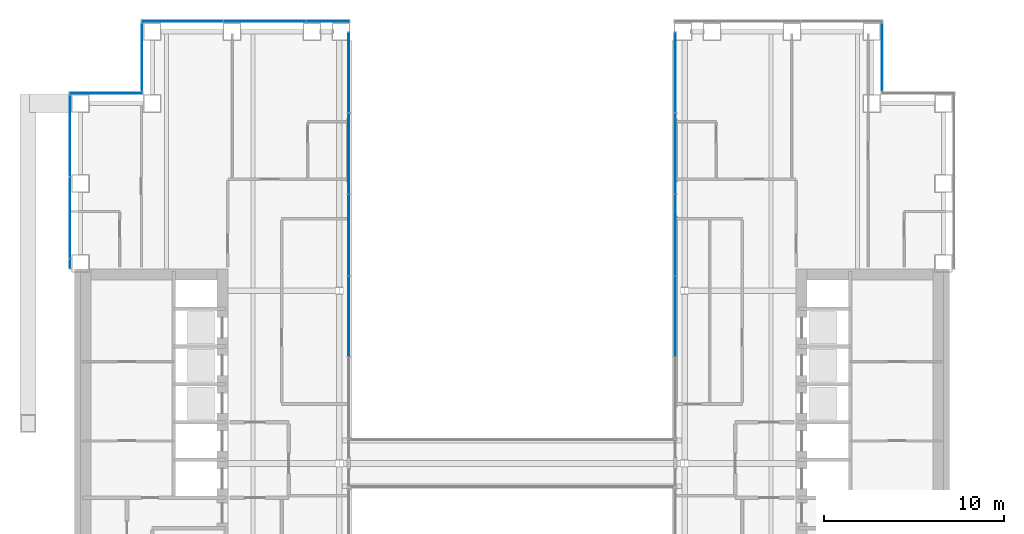
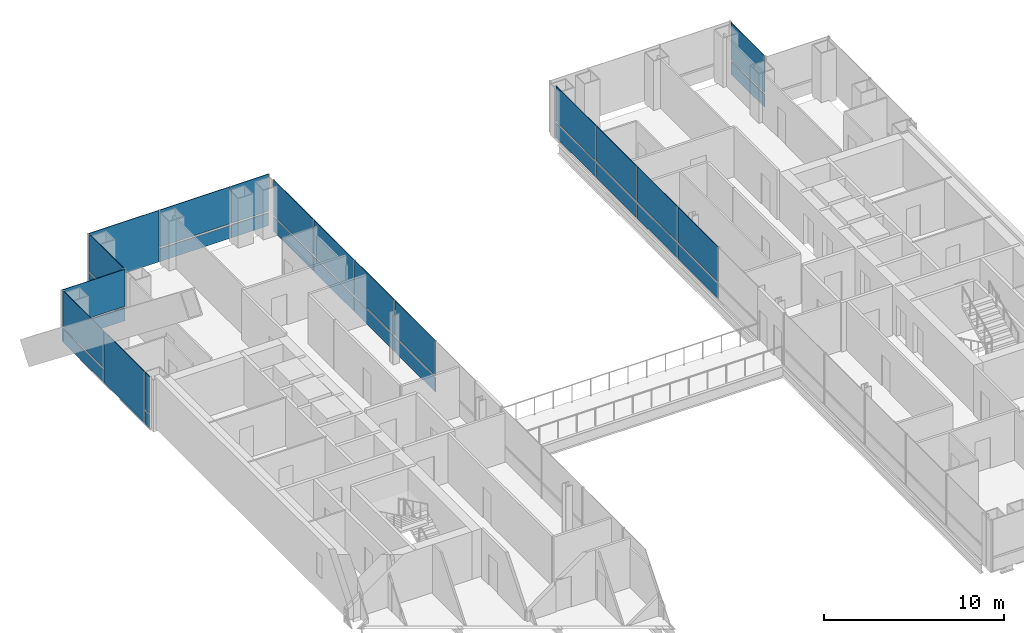
# One storey, part 12 of 19: 32 plates, 7 elements without a shape of their own.
"""IFC4 building model written with IfcOpenShell, lengths in metres."""

from ifc_helpers import new_model, si_unit, direction, frame, origin, origin_2d, place, context, subcontext, project, spatial, rectangle, extrude, material, layer, layer_set, type_object, element, aggregate, save


model = new_model("IFC4")

# Units and contexts
model_context = context("Model", 3, precision=1e-05, world=origin(), true_north=direction((0.0, 1.0)))
body_context = subcontext(model_context, "Body", "Model", "MODEL_VIEW")
ifc_project = project(units=[si_unit("LENGTHUNIT", "METRE"), si_unit("AREAUNIT", "SQUARE_METRE"), si_unit("VOLUMEUNIT", "CUBIC_METRE"), si_unit("PLANEANGLEUNIT", "RADIAN"), si_unit("MASSUNIT", "GRAM", prefix="KILO")], contexts=[model_context])

# Site, building, storey
site_placement = place(None, origin())
site = spatial("IfcSite", under=ifc_project, at=site_placement, CompositionType="ELEMENT")
building_placement = place(site_placement, origin())
building = spatial("IfcBuilding", under=site, at=building_placement, Name="Cobrizo Arcos Hotel Tower", CompositionType="ELEMENT")
storey_placement = place(building_placement, frame((0.0, 0.0, 70.5)))
storey = spatial("IfcBuildingStorey", under=building, at=storey_placement, Name="L16", CompositionType="ELEMENT", Elevation=70.5)

# Curtain wall, plate
ifc_material_1 = material(Name="Aluminium 6063-T6 anodised bronze", Category="aluminium")
curtain_wall_type_1 = type_object("IfcCurtainWallType", Name="CW-A guest facade", PredefinedType="NOTDEFINED", material=ifc_material_1)
curtain_wall_1_placement = place(storey_placement, origin())
curtain_wall_1 = element("IfcCurtainWall", 1, at=curtain_wall_1_placement, inside=storey, type_object=curtain_wall_type_1, Name="CW-A L16 E face", PredefinedType="NOTDEFINED")
ifc_material_2 = material(Name="Glass clear laminated low-e", Category="glass")
ifc_layer_1 = layer(ifc_material_2, 0.0400390625)
ifc_layer_set_1 = layer_set([ifc_layer_1], Name="CW-A glass panel")
plate_type_1 = type_object("IfcPlateType", Name="CW-A glass panel", PredefinedType="CURTAIN_PANEL", material=ifc_layer_set_1)
plate_1_placement = place(storey_placement, frame((20.574951171875, 22.574951171875, 0.990234375), z_axis=(0.0, 0.0, 1.0), x_axis=(0.0, 1.0, 0.0)))
plate_1 = element("IfcPlate", 2, at=plate_1_placement, type_object=plate_type_1, Name="CW-A glass panel 700", PredefinedType="CURTAIN_PANEL", context=body_context, shape_type="SweptSolid", body=[
    extrude(rectangle(XDim=3.72998046875, YDim=0.0400390625, at=origin_2d()), origin(), (0.0, 0.0, 1.0), 2.510009765625),
])

# Curtain wall, plates
curtain_wall_2_placement = place(storey_placement, origin())
curtain_wall_2 = element("IfcCurtainWall", 3, at=curtain_wall_2_placement, inside=storey, type_object=curtain_wall_type_1, Name="CW-A L16 N face", PredefinedType="NOTDEFINED")
plate_2_placement = place(storey_placement, frame((-10.251220703125, 24.574951171875, 0.990234375), z_axis=(0.0, 0.0, 1.0), x_axis=(-1.0, 0.0, 0.0)))
plate_2 = element("IfcPlate", 4, at=plate_2_placement, type_object=plate_type_1, Name="CW-A glass panel 704", PredefinedType="CURTAIN_PANEL", context=body_context, shape_type="SweptSolid", body=[
    extrude(rectangle(XDim=2.38232421875, YDim=0.0400390625, at=origin_2d()), origin(), (0.0, 0.0, 1.0), 2.510009765625),
])
plate_3_placement = place(storey_placement, frame((-13.7666015625, 24.574951171875, 0.990234375), z_axis=(0.0, 0.0, 1.0), x_axis=(-1.0, 0.0, 0.0)))
plate_3 = element("IfcPlate", 5, at=plate_3_placement, type_object=plate_type_1, Name="CW-A glass panel 705", PredefinedType="CURTAIN_PANEL", context=body_context, shape_type="SweptSolid", body=[
    extrude(rectangle(XDim=4.52880859375, YDim=0.0400390625, at=origin_2d()), origin(), (0.0, 0.0, 1.0), 2.510009765625),
])

# Curtain wall, plate
curtain_wall_3_placement = place(storey_placement, origin())
curtain_wall_3 = element("IfcCurtainWall", 6, at=curtain_wall_3_placement, inside=storey, type_object=curtain_wall_type_1, Name="CW-A L16 W face", PredefinedType="NOTDEFINED")
plate_4_placement = place(storey_placement, frame((-20.574951171875, 22.574951171875, 0.990234375), z_axis=(0.0, 0.0, 1.0), x_axis=(0.0, -1.0, 0.0)))
plate_4 = element("IfcPlate", 7, at=plate_4_placement, type_object=plate_type_1, Name="CW-A glass panel 707", PredefinedType="CURTAIN_PANEL", context=body_context, shape_type="SweptSolid", body=[
    extrude(rectangle(XDim=3.72998046875, YDim=0.0400390625, at=origin_2d()), origin(), (0.0, 0.0, 1.0), 2.510009765625),
])

curtain_wall_4_placement = place(storey_placement, origin())
curtain_wall_4 = element("IfcCurtainWall", 8, at=curtain_wall_4_placement, inside=storey, type_object=curtain_wall_type_1, Name="CW-A L16 N face", PredefinedType="NOTDEFINED")
plate_5_placement = place(storey_placement, frame((-22.574951171875, 20.574951171875, 0.990234375), z_axis=(0.0, 0.0, 1.0), x_axis=(-1.0, 0.0, 0.0)))
plate_5 = element("IfcPlate", 9, at=plate_5_placement, type_object=plate_type_1, Name="CW-A glass panel 708", PredefinedType="CURTAIN_PANEL", context=body_context, shape_type="SweptSolid", body=[
    extrude(rectangle(XDim=4.030029296875, YDim=0.0400390625, at=origin_2d()), origin(), (0.0, 0.0, 1.0), 2.510009765625),
])

# Curtain wall, plates
curtain_wall_5_placement = place(storey_placement, origin())
curtain_wall_5 = element("IfcCurtainWall", 10, at=curtain_wall_5_placement, inside=storey, type_object=curtain_wall_type_1, Name="CW-A L16 W face", PredefinedType="NOTDEFINED")
plate_6_placement = place(storey_placement, frame((-24.574951171875, 18.207275390625, 0.990234375), z_axis=(0.0, 0.0, 1.0), x_axis=(0.0, -1.0, 0.0)))
plate_6 = element("IfcPlate", 11, at=plate_6_placement, type_object=plate_type_1, Name="CW-A glass panel 709", PredefinedType="CURTAIN_PANEL", context=body_context, shape_type="SweptSolid", body=[
    extrude(rectangle(XDim=4.465576171875, YDim=0.0400390625, at=origin_2d()), origin(), (0.0, 0.0, 1.0), 2.510009765625),
])
plate_7_placement = place(storey_placement, frame((-24.574951171875, 11.109375, 0.990234375), z_axis=(0.0, 0.0, 1.0), x_axis=(0.0, -1.0, 0.0)))
plate_7 = element("IfcPlate", 12, at=plate_7_placement, type_object=plate_type_1, Name="CW-A glass panel 711", PredefinedType="CURTAIN_PANEL", context=body_context, shape_type="SweptSolid", body=[
    extrude(rectangle(XDim=0.498779296875, YDim=0.0400390625, at=origin_2d()), origin(), (0.0, 0.0, 1.0), 2.510009765625),
])

# Plate
ifc_material_3 = material(Name="Aluminium composite panel pale metal", Category="aluminium")
ifc_layer_2 = layer(ifc_material_3, 0.0400390625)
ifc_layer_set_2 = layer_set([ifc_layer_2], Name="CW-A spandrel panel")
plate_type_2 = type_object("IfcPlateType", Name="CW-A spandrel panel", PredefinedType="CURTAIN_PANEL", material=ifc_layer_set_2)
plate_8_placement = place(storey_placement, frame((20.574951171875, 22.574951171875, 0.0), z_axis=(0.0, 0.0, 1.0), x_axis=(0.0, 1.0, 0.0)))
plate_8 = element("IfcPlate", 13, at=plate_8_placement, type_object=plate_type_2, Name="CW-A spandrel panel 700", PredefinedType="CURTAIN_PANEL", context=body_context, shape_type="SweptSolid", body=[
    extrude(rectangle(XDim=3.72998046875, YDim=0.0400390625, at=origin_2d()), origin(), (0.0, 0.0, 1.0), 0.8701171875),
])

aggregate(curtain_wall_1, [plate_8, plate_1])

plate_9_placement = place(storey_placement, frame((-10.251220703125, 24.574951171875, 0.0), z_axis=(0.0, 0.0, 1.0), x_axis=(-1.0, 0.0, 0.0)))
plate_9 = element("IfcPlate", 14, at=plate_9_placement, type_object=plate_type_2, Name="CW-A spandrel panel 704", PredefinedType="CURTAIN_PANEL", context=body_context, shape_type="SweptSolid", body=[
    extrude(rectangle(XDim=2.38232421875, YDim=0.0400390625, at=origin_2d()), origin(), (0.0, 0.0, 1.0), 0.8701171875),
])

plate_10_placement = place(storey_placement, frame((-13.7666015625, 24.574951171875, 0.0), z_axis=(0.0, 0.0, 1.0), x_axis=(-1.0, 0.0, 0.0)))
plate_10 = element("IfcPlate", 15, at=plate_10_placement, type_object=plate_type_2, Name="CW-A spandrel panel 705", PredefinedType="CURTAIN_PANEL", context=body_context, shape_type="SweptSolid", body=[
    extrude(rectangle(XDim=4.52880859375, YDim=0.0400390625, at=origin_2d()), origin(), (0.0, 0.0, 1.0), 0.8701171875),
])

plate_11_placement = place(storey_placement, frame((-18.340576171875, 24.574951171875, 0.0), z_axis=(0.0, 0.0, 1.0), x_axis=(-1.0, 0.0, 0.0)))
plate_11 = element("IfcPlate", 16, at=plate_11_placement, type_object=plate_type_2, Name="CW-A spandrel panel 706", PredefinedType="CURTAIN_PANEL", context=body_context, shape_type="SweptSolid", body=[
    extrude(rectangle(XDim=4.498779296875, YDim=0.0400390625, at=origin_2d()), origin(), (0.0, 0.0, 1.0), 3.5),
])

aggregate(curtain_wall_2, [plate_9, plate_2, plate_10, plate_3, plate_11])

plate_12_placement = place(storey_placement, frame((-20.574951171875, 22.574951171875, 0.0), z_axis=(0.0, 0.0, 1.0), x_axis=(0.0, -1.0, 0.0)))
plate_12 = element("IfcPlate", 17, at=plate_12_placement, type_object=plate_type_2, Name="CW-A spandrel panel 707", PredefinedType="CURTAIN_PANEL", context=body_context, shape_type="SweptSolid", body=[
    extrude(rectangle(XDim=3.72998046875, YDim=0.0400390625, at=origin_2d()), origin(), (0.0, 0.0, 1.0), 0.8701171875),
])

aggregate(curtain_wall_3, [plate_12, plate_4])

plate_13_placement = place(storey_placement, frame((-22.574951171875, 20.574951171875, 0.0), z_axis=(0.0, 0.0, 1.0), x_axis=(-1.0, 0.0, 0.0)))
plate_13 = element("IfcPlate", 18, at=plate_13_placement, type_object=plate_type_2, Name="CW-A spandrel panel 708", PredefinedType="CURTAIN_PANEL", context=body_context, shape_type="SweptSolid", body=[
    extrude(rectangle(XDim=4.030029296875, YDim=0.0400390625, at=origin_2d()), origin(), (0.0, 0.0, 1.0), 0.8701171875),
])

aggregate(curtain_wall_4, [plate_13, plate_5])

plate_14_placement = place(storey_placement, frame((-24.574951171875, 18.207275390625, 0.0), z_axis=(0.0, 0.0, 1.0), x_axis=(0.0, -1.0, 0.0)))
plate_14 = element("IfcPlate", 19, at=plate_14_placement, type_object=plate_type_2, Name="CW-A spandrel panel 709", PredefinedType="CURTAIN_PANEL", context=body_context, shape_type="SweptSolid", body=[
    extrude(rectangle(XDim=4.465576171875, YDim=0.0400390625, at=origin_2d()), origin(), (0.0, 0.0, 1.0), 0.8701171875),
])

plate_15_placement = place(storey_placement, frame((-24.574951171875, 13.666748046875, 0.0), z_axis=(0.0, 0.0, 1.0), x_axis=(0.0, -1.0, 0.0)))
plate_15 = element("IfcPlate", 20, at=plate_15_placement, type_object=plate_type_2, Name="CW-A spandrel panel 710", PredefinedType="CURTAIN_PANEL", context=body_context, shape_type="SweptSolid", body=[
    extrude(rectangle(XDim=4.49560546875, YDim=0.0400390625, at=origin_2d()), origin(), (0.0, 0.0, 1.0), 3.5),
])

plate_16_placement = place(storey_placement, frame((-24.574951171875, 11.109375, 0.0), z_axis=(0.0, 0.0, 1.0), x_axis=(0.0, -1.0, 0.0)))
plate_16 = element("IfcPlate", 21, at=plate_16_placement, type_object=plate_type_2, Name="CW-A spandrel panel 711", PredefinedType="CURTAIN_PANEL", context=body_context, shape_type="SweptSolid", body=[
    extrude(rectangle(XDim=0.498779296875, YDim=0.0400390625, at=origin_2d()), origin(), (0.0, 0.0, 1.0), 0.8701171875),
])

aggregate(curtain_wall_5, [plate_14, plate_6, plate_15, plate_16, plate_7])

# Curtain wall, plates
curtain_wall_type_2 = type_object("IfcCurtainWallType", Name="CW-F void screen", PredefinedType="NOTDEFINED", material=ifc_material_1)
curtain_wall_6_placement = place(storey_placement, origin())
curtain_wall_6 = element("IfcCurtainWall", 22, at=curtain_wall_6_placement, inside=storey, type_object=curtain_wall_type_2, Name="CW-F L16 void screen A", PredefinedType="NOTDEFINED")
ifc_layer_3 = layer(ifc_material_2, 0.0400390625)
ifc_layer_set_3 = layer_set([ifc_layer_3], Name="CW-F glass panel")
plate_type_3 = type_object("IfcPlateType", Name="CW-F glass panel", PredefinedType="CURTAIN_PANEL", material=ifc_layer_set_3)
plate_17_placement = place(storey_placement, frame((9.074951171875, 8.179931640625, 0.0), z_axis=(0.0, 0.0, 1.0), x_axis=(0.0, 1.0, 0.0)))
plate_17 = element("IfcPlate", 23, at=plate_17_placement, type_object=plate_type_3, Name="CW-F glass panel 2494", PredefinedType="CURTAIN_PANEL", context=body_context, shape_type="SweptSolid", body=[
    extrude(rectangle(XDim=4.4599609375, YDim=0.0400390625, at=origin_2d()), origin(), (0.0, 0.0, 1.0), 0.989990234375),
])
plate_18_placement = place(storey_placement, frame((9.074951171875, 8.179931640625, 1.10986328125), z_axis=(0.0, 0.0, 1.0), x_axis=(0.0, 1.0, 0.0)))
plate_18 = element("IfcPlate", 24, at=plate_18_placement, type_object=plate_type_3, Name="CW-F glass panel 2494", PredefinedType="CURTAIN_PANEL", context=body_context, shape_type="SweptSolid", body=[
    extrude(rectangle(XDim=4.4599609375, YDim=0.0400390625, at=origin_2d()), origin(), (0.0, 0.0, 1.0), 2.389892578125),
])
plate_19_placement = place(storey_placement, frame((9.074951171875, 12.699951171875, 0.0), z_axis=(0.0, 0.0, 1.0), x_axis=(0.0, 1.0, 0.0)))
plate_19 = element("IfcPlate", 25, at=plate_19_placement, type_object=plate_type_3, Name="CW-F glass panel 2495", PredefinedType="CURTAIN_PANEL", context=body_context, shape_type="SweptSolid", body=[
    extrude(rectangle(XDim=4.4599609375, YDim=0.0400390625, at=origin_2d()), origin(), (0.0, 0.0, 1.0), 0.989990234375),
])
plate_20_placement = place(storey_placement, frame((9.074951171875, 12.699951171875, 1.10986328125), z_axis=(0.0, 0.0, 1.0), x_axis=(0.0, 1.0, 0.0)))
plate_20 = element("IfcPlate", 26, at=plate_20_placement, type_object=plate_type_3, Name="CW-F glass panel 2495", PredefinedType="CURTAIN_PANEL", context=body_context, shape_type="SweptSolid", body=[
    extrude(rectangle(XDim=4.4599609375, YDim=0.0400390625, at=origin_2d()), origin(), (0.0, 0.0, 1.0), 2.389892578125),
])
plate_21_placement = place(storey_placement, frame((9.074951171875, 17.219970703125, 0.0), z_axis=(0.0, 0.0, 1.0), x_axis=(0.0, 1.0, 0.0)))
plate_21 = element("IfcPlate", 27, at=plate_21_placement, type_object=plate_type_3, Name="CW-F glass panel 2496", PredefinedType="CURTAIN_PANEL", context=body_context, shape_type="SweptSolid", body=[
    extrude(rectangle(XDim=4.4599609375, YDim=0.0400390625, at=origin_2d()), origin(), (0.0, 0.0, 1.0), 0.989990234375),
])
plate_22_placement = place(storey_placement, frame((9.074951171875, 17.219970703125, 1.10986328125), z_axis=(0.0, 0.0, 1.0), x_axis=(0.0, 1.0, 0.0)))
plate_22 = element("IfcPlate", 28, at=plate_22_placement, type_object=plate_type_3, Name="CW-F glass panel 2496", PredefinedType="CURTAIN_PANEL", context=body_context, shape_type="SweptSolid", body=[
    extrude(rectangle(XDim=4.4599609375, YDim=0.0400390625, at=origin_2d()), origin(), (0.0, 0.0, 1.0), 2.389892578125),
])
plate_23_placement = place(storey_placement, frame((9.074951171875, 21.72509765625, 0.0), z_axis=(0.0, 0.0, 1.0), x_axis=(0.0, 1.0, 0.0)))
plate_23 = element("IfcPlate", 29, at=plate_23_placement, type_object=plate_type_3, Name="CW-F glass panel 2497", PredefinedType="CURTAIN_PANEL", context=body_context, shape_type="SweptSolid", body=[
    extrude(rectangle(XDim=4.429931640625, YDim=0.0400390625, at=origin_2d()), origin(), (0.0, 0.0, 1.0), 0.989990234375),
])
plate_24_placement = place(storey_placement, frame((9.074951171875, 21.72509765625, 1.10986328125), z_axis=(0.0, 0.0, 1.0), x_axis=(0.0, 1.0, 0.0)))
plate_24 = element("IfcPlate", 30, at=plate_24_placement, type_object=plate_type_3, Name="CW-F glass panel 2497", PredefinedType="CURTAIN_PANEL", context=body_context, shape_type="SweptSolid", body=[
    extrude(rectangle(XDim=4.429931640625, YDim=0.0400390625, at=origin_2d()), origin(), (0.0, 0.0, 1.0), 2.389892578125),
])
aggregate(curtain_wall_6, [plate_17, plate_18, plate_19, plate_20, plate_21, plate_22, plate_23, plate_24])

curtain_wall_7_placement = place(storey_placement, origin())
curtain_wall_7 = element("IfcCurtainWall", 31, at=curtain_wall_7_placement, inside=storey, type_object=curtain_wall_type_2, Name="CW-F L16 void screen A", PredefinedType="NOTDEFINED")
plate_25_placement = place(storey_placement, frame((-9.074951171875, 21.72509765625, 0.0), z_axis=(0.0, 0.0, 1.0), x_axis=(0.0, -1.0, 0.0)))
plate_25 = element("IfcPlate", 32, at=plate_25_placement, type_object=plate_type_3, Name="CW-F glass panel 2498", PredefinedType="CURTAIN_PANEL", context=body_context, shape_type="SweptSolid", body=[
    extrude(rectangle(XDim=4.429931640625, YDim=0.0400390625, at=origin_2d()), origin(), (0.0, 0.0, 1.0), 0.989990234375),
])
plate_26_placement = place(storey_placement, frame((-9.074951171875, 21.72509765625, 1.10986328125), z_axis=(0.0, 0.0, 1.0), x_axis=(0.0, -1.0, 0.0)))
plate_26 = element("IfcPlate", 33, at=plate_26_placement, type_object=plate_type_3, Name="CW-F glass panel 2498", PredefinedType="CURTAIN_PANEL", context=body_context, shape_type="SweptSolid", body=[
    extrude(rectangle(XDim=4.429931640625, YDim=0.0400390625, at=origin_2d()), origin(), (0.0, 0.0, 1.0), 2.389892578125),
])
plate_27_placement = place(storey_placement, frame((-9.074951171875, 17.219970703125, 0.0), z_axis=(0.0, 0.0, 1.0), x_axis=(0.0, -1.0, 0.0)))
plate_27 = element("IfcPlate", 34, at=plate_27_placement, type_object=plate_type_3, Name="CW-F glass panel 2499", PredefinedType="CURTAIN_PANEL", context=body_context, shape_type="SweptSolid", body=[
    extrude(rectangle(XDim=4.4599609375, YDim=0.0400390625, at=origin_2d()), origin(), (0.0, 0.0, 1.0), 0.989990234375),
])
plate_28_placement = place(storey_placement, frame((-9.074951171875, 17.219970703125, 1.10986328125), z_axis=(0.0, 0.0, 1.0), x_axis=(0.0, -1.0, 0.0)))
plate_28 = element("IfcPlate", 35, at=plate_28_placement, type_object=plate_type_3, Name="CW-F glass panel 2499", PredefinedType="CURTAIN_PANEL", context=body_context, shape_type="SweptSolid", body=[
    extrude(rectangle(XDim=4.4599609375, YDim=0.0400390625, at=origin_2d()), origin(), (0.0, 0.0, 1.0), 2.389892578125),
])
plate_29_placement = place(storey_placement, frame((-9.074951171875, 12.699951171875, 0.0), z_axis=(0.0, 0.0, 1.0), x_axis=(0.0, -1.0, 0.0)))
plate_29 = element("IfcPlate", 36, at=plate_29_placement, type_object=plate_type_3, Name="CW-F glass panel 2500", PredefinedType="CURTAIN_PANEL", context=body_context, shape_type="SweptSolid", body=[
    extrude(rectangle(XDim=4.4599609375, YDim=0.0400390625, at=origin_2d()), origin(), (0.0, 0.0, 1.0), 0.989990234375),
])
plate_30_placement = place(storey_placement, frame((-9.074951171875, 12.699951171875, 1.10986328125), z_axis=(0.0, 0.0, 1.0), x_axis=(0.0, -1.0, 0.0)))
plate_30 = element("IfcPlate", 37, at=plate_30_placement, type_object=plate_type_3, Name="CW-F glass panel 2500", PredefinedType="CURTAIN_PANEL", context=body_context, shape_type="SweptSolid", body=[
    extrude(rectangle(XDim=4.4599609375, YDim=0.0400390625, at=origin_2d()), origin(), (0.0, 0.0, 1.0), 2.389892578125),
])
plate_31_placement = place(storey_placement, frame((-9.074951171875, 8.179931640625, 0.0), z_axis=(0.0, 0.0, 1.0), x_axis=(0.0, -1.0, 0.0)))
plate_31 = element("IfcPlate", 38, at=plate_31_placement, type_object=plate_type_3, Name="CW-F glass panel 2501", PredefinedType="CURTAIN_PANEL", context=body_context, shape_type="SweptSolid", body=[
    extrude(rectangle(XDim=4.4599609375, YDim=0.0400390625, at=origin_2d()), origin(), (0.0, 0.0, 1.0), 0.989990234375),
])
plate_32_placement = place(storey_placement, frame((-9.074951171875, 8.179931640625, 1.10986328125), z_axis=(0.0, 0.0, 1.0), x_axis=(0.0, -1.0, 0.0)))
plate_32 = element("IfcPlate", 39, at=plate_32_placement, type_object=plate_type_3, Name="CW-F glass panel 2501", PredefinedType="CURTAIN_PANEL", context=body_context, shape_type="SweptSolid", body=[
    extrude(rectangle(XDim=4.4599609375, YDim=0.0400390625, at=origin_2d()), origin(), (0.0, 0.0, 1.0), 2.389892578125),
])
aggregate(curtain_wall_7, [plate_25, plate_26, plate_27, plate_28, plate_29, plate_30, plate_31, plate_32])

save(model, "model.ifc")
